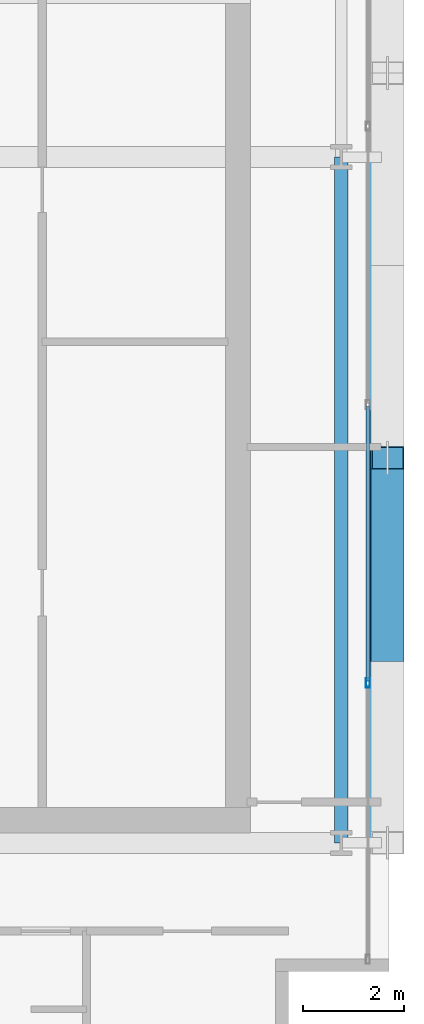
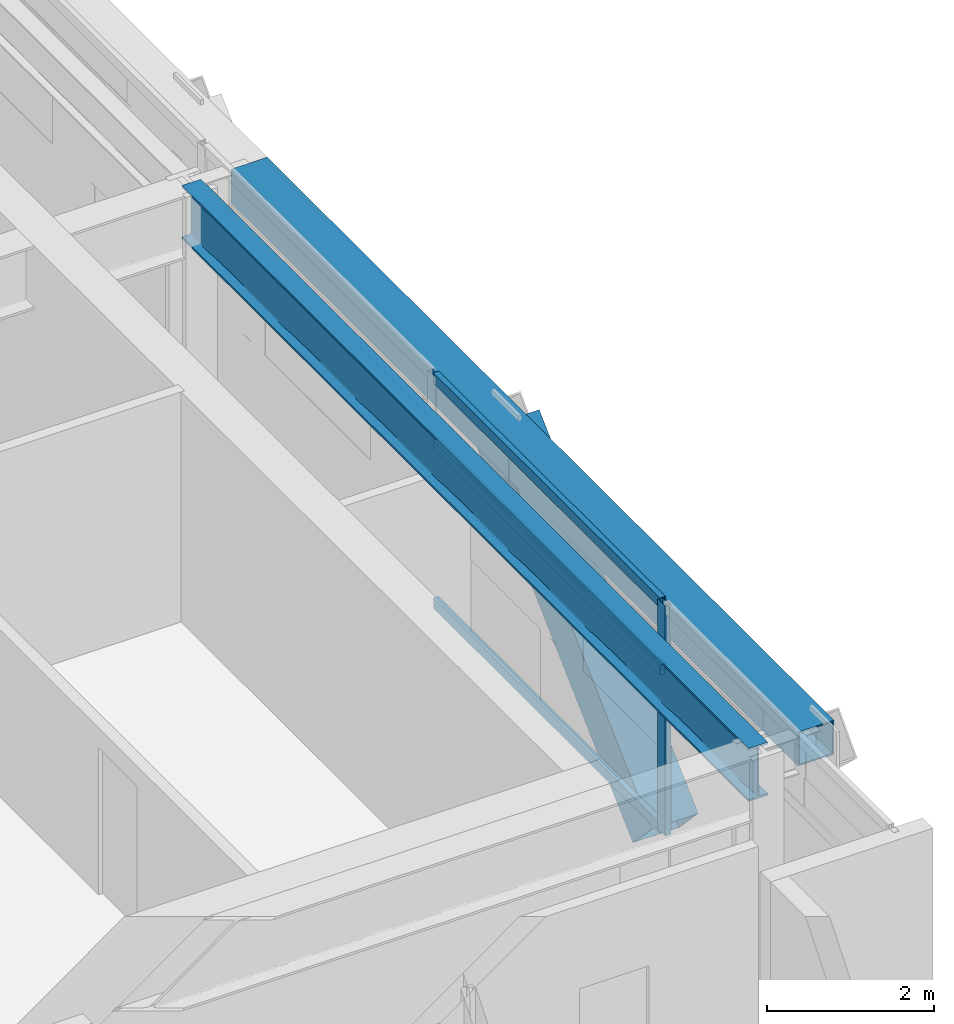
# One storey, part 12 of 31: 5 members, 2 beams, 1 element without a shape of its own.
"""IFC4 building model written with IfcOpenShell, lengths in metres."""

from ifc_helpers import new_model, si_unit, direction, frame, origin, origin_2d, place, context, subcontext, project, spatial, hollow_rectangle, i_section, extrude, source, transform, mapped, material, layer, layer_set, material_profile, profile_set, type_object, element, aggregate, save


model = new_model("IFC4")

# Units and contexts
model_context = context("Model", 3, precision=1e-05, world=origin(), true_north=direction((0.0, 1.0)))
body_context = subcontext(model_context, "Body", "Model", "MODEL_VIEW")
ifc_project = project(units=[si_unit("LENGTHUNIT", "METRE"), si_unit("AREAUNIT", "SQUARE_METRE"), si_unit("VOLUMEUNIT", "CUBIC_METRE"), si_unit("PLANEANGLEUNIT", "RADIAN"), si_unit("MASSUNIT", "GRAM", prefix="KILO")], contexts=[model_context])

# Site, building, storey
site_placement = place(None, origin())
site = spatial("IfcSite", under=ifc_project, at=site_placement, CompositionType="ELEMENT")
building_placement = place(site_placement, origin())
building = spatial("IfcBuilding", under=site, at=building_placement, Name="Ocotamira Hotel", CompositionType="ELEMENT")
storey_placement = place(building_placement, frame((0.0, 0.0, 199.199951171875)))
storey = spatial("IfcBuildingStorey", under=building, at=storey_placement, Name="L50", CompositionType="ELEMENT", Elevation=199.199951171875)

# Beams
ifc_material_1 = material(Name="Steel ASTM A992 Grade 50", Category="steel")
ifc_material_profile_1 = material_profile(ifc_material_1, i_section(OverallWidth=0.26611328125, OverallDepth=0.779052734375, WebThickness=0.0166015625, FlangeThickness=0.030029296875, FilletRadius=0.01806640625, at=origin_2d()), Name="W30X148")
ifc_profile_set_1 = profile_set([ifc_material_profile_1], Name="Steel ASTM A992 Grade 50")
beam_type_1 = type_object("IfcBeamType", Name="BM-GIRD-W30X148", PredefinedType="BEAM", material=ifc_profile_set_1)
shared_shape_1 = source(origin(), body_context, "Body", "SweptSolid", [
    extrude(i_section(OverallWidth=0.26611328125, OverallDepth=0.779052734375, WebThickness=0.0166015625, FlangeThickness=0.030029296875, FilletRadius=0.01806640625, at=origin_2d()), origin(), (0.0, 0.0, 1.0), 13.599853515625),
])
beam_1_placement = place(storey_placement, frame((55.050048828125, 14.550048828125, 2.98046875), z_axis=(0.0, 1.0, 0.0), x_axis=(-1.0, 0.0, 0.0)))
element("IfcBeam", 1, at=beam_1_placement, inside=storey, type_object=beam_type_1, Name="L50 Beam X55.05 Y14.55-28.15", PredefinedType="BEAM", context=body_context, shape_type="MappedRepresentation", body=[
    mapped(shared_shape_1, transform((0.0, 0.0, 0.0), scale=1.0)),
])
ifc_material_2 = material(Name="Steel ASTM A500 Grade C", Category="steel")
ifc_material_profile_2 = material_profile(ifc_material_2, hollow_rectangle(XDim=0.5, YDim=0.5, WallThickness=0.02001953125, at=origin_2d()), Name="HSS500X500X20")
ifc_profile_set_2 = profile_set([ifc_material_profile_2], Name="Steel ASTM A500 Grade C")
beam_type_2 = type_object("IfcBeamType", Name="BM-SPAN-HSS500", PredefinedType="USERDEFINED", material=ifc_profile_set_2)
shared_shape_2 = source(origin(), body_context, "Body", "SweptSolid", [
    extrude(hollow_rectangle(XDim=0.5, YDim=0.5, WallThickness=0.02001953125, at=origin_2d()), origin(), (0.0, 0.0, 1.0), 13.599853515625),
])
beam_2_placement = place(storey_placement, frame((55.85009765625, 14.550048828125, 3.1201171875), z_axis=(0.0, 1.0, 0.0), x_axis=(-1.0, 0.0, 0.0)))
element("IfcBeam", 2, at=beam_2_placement, inside=storey, type_object=beam_type_2, Name="L50 Edge Spandrel E Y14.55-28.15", ObjectType="SPANDREL", PredefinedType="USERDEFINED", context=body_context, shape_type="MappedRepresentation", body=[
    mapped(shared_shape_2, transform((0.0, 0.0, 0.0), scale=1.0)),
])

# Member
ifc_material_3 = material(Name="Pale-metal coated steel ASTM A913 Grade 65", Category="steel")
ifc_material_profile_3 = material_profile(ifc_material_3, hollow_rectangle(XDim=0.64990234375, YDim=0.64990234375, WallThickness=0.02197265625, at=origin_2d()), Name="BOX650X650X22")
ifc_profile_set_3 = profile_set([ifc_material_profile_3], Name="Pale-metal coated steel ASTM A913 Grade 65")
member_type_1 = type_object("IfcMemberType", Name="MEM-EXO-BOX650", PredefinedType="BRACE", material=ifc_profile_set_3)
shared_shape_3 = source(origin(), body_context, "Body", "SweptSolid", [
    extrude(hollow_rectangle(XDim=0.64990234375, YDim=0.64990234375, WallThickness=0.02197265625, at=origin_2d()), origin(), (0.0, 0.0, 1.0), 5.24658203125),
])
member_1_placement = place(storey_placement, frame((55.969970703125, 18.36669921875, -0.47998046875), z_axis=(0.0, 0.727442733726, 0.686168397078), x_axis=(-1.0, 0.0, 0.0)))
element("IfcMember", 3, at=member_1_placement, inside=storey, type_object=member_type_1, Name="L50 Exoskeleton Diagrid E0.2", PredefinedType="BRACE", context=body_context, shape_type="MappedRepresentation", body=[
    mapped(shared_shape_3, transform((0.0, 0.0, 0.0), scale=1.0)),
])

# Curtain wall, members
ifc_material_4 = material(Name="Anodised pale-metal aluminium and solar glass", Category="aluminium")
ifc_layer = layer(ifc_material_4, 0.199951171875)
ifc_layer_set = layer_set([ifc_layer], Name="Anodised pale-metal aluminium and solar glass")
curtain_wall_type = type_object("IfcCurtainWallType", Name="CW-SYS4-Z3", PredefinedType="NOTDEFINED", material=ifc_layer_set)
curtain_wall_placement = place(storey_placement, origin())
curtain_wall = element("IfcCurtainWall", 4, at=curtain_wall_placement, inside=storey, type_object=curtain_wall_type, Name="L50 Curtain Wall CW-4 CW-L50-E", PredefinedType="NOTDEFINED")
ifc_material_5 = material(Name="Anodised pale-metal aluminium 6063-T6", Category="aluminium")
ifc_material_profile_4 = material_profile(ifc_material_5, hollow_rectangle(XDim=0.080078125, YDim=0.179931640625, WallThickness=0.006103515625, at=origin_2d()), Name="HSS180X80X6")
ifc_profile_set_4 = profile_set([ifc_material_profile_4], Name="Anodised pale-metal aluminium 6063-T6")
member_type_2 = type_object("IfcMemberType", Name="CWM-180X75", PredefinedType="MULLION", material=ifc_profile_set_4)
shared_shape_4 = source(origin(), body_context, "Body", "SweptSolid", [
    extrude(hollow_rectangle(XDim=0.080078125, YDim=0.179931640625, WallThickness=0.006103515625, at=origin_2d()), origin(), (0.0, 0.0, 1.0), 3.3701171875),
])
member_2_placement = place(storey_placement, frame((55.580078125, 17.719970703125, 0.0), z_axis=(0.0, 0.0, 1.0), x_axis=(-1.0, 0.0, 0.0)))
member_2 = element("IfcMember", 5, at=member_2_placement, type_object=member_type_2, Name="CW-4 mullion 2", PredefinedType="MULLION", context=body_context, shape_type="MappedRepresentation", body=[
    mapped(shared_shape_4, transform((0.0, 0.0, 0.0), scale=1.0)),
])
ifc_material_profile_5 = material_profile(ifc_material_5, hollow_rectangle(XDim=0.074951171875, YDim=0.14990234375, WallThickness=0.006103515625, at=origin_2d()), Name="HSS150X75X6")
ifc_profile_set_5 = profile_set([ifc_material_profile_5], Name="Anodised pale-metal aluminium 6063-T6")
member_type_3 = type_object("IfcMemberType", Name="CWT-150X75", PredefinedType="USERDEFINED", material=ifc_profile_set_5)
shared_shape_5 = source(origin(), body_context, "Body", "SweptSolid", [
    extrude(hollow_rectangle(XDim=0.074951171875, YDim=0.14990234375, WallThickness=0.006103515625, at=origin_2d()), origin(), (0.0, 0.0, 1.0), 5.43994140625),
])
member_3_placement = place(storey_placement, frame((55.580078125, 17.760009765625, 0.03759765625), z_axis=(0.0, 1.0, 0.0), x_axis=(-1.0, 0.0, 0.0)))
member_3 = element("IfcMember", 6, at=member_3_placement, type_object=member_type_3, Name="CW-4 transom 2.1", ObjectType="TRANSOM", PredefinedType="USERDEFINED", context=body_context, shape_type="MappedRepresentation", body=[
    mapped(shared_shape_5, transform((0.0, 0.0, 0.0), scale=1.0)),
])
member_4_placement = place(storey_placement, frame((55.580078125, 17.760009765625, 2.35009765625), z_axis=(0.0, 1.0, 0.0), x_axis=(-1.0, 0.0, 0.0)))
member_4 = element("IfcMember", 7, at=member_4_placement, type_object=member_type_3, Name="CW-4 transom 2.2", ObjectType="TRANSOM", PredefinedType="USERDEFINED", context=body_context, shape_type="MappedRepresentation", body=[
    mapped(shared_shape_5, transform((0.0, 0.0, 0.0), scale=1.0)),
])
member_5_placement = place(storey_placement, frame((55.580078125, 17.760009765625, 3.33251953125), z_axis=(0.0, 1.0, 0.0), x_axis=(-1.0, 0.0, 0.0)))
member_5 = element("IfcMember", 8, at=member_5_placement, type_object=member_type_3, Name="CW-4 transom 2.3", ObjectType="TRANSOM", PredefinedType="USERDEFINED", context=body_context, shape_type="MappedRepresentation", body=[
    mapped(shared_shape_5, transform((0.0, 0.0, 0.0), scale=1.0)),
])
aggregate(curtain_wall, [member_2, member_3, member_4, member_5])

save(model, "model.ifc")
